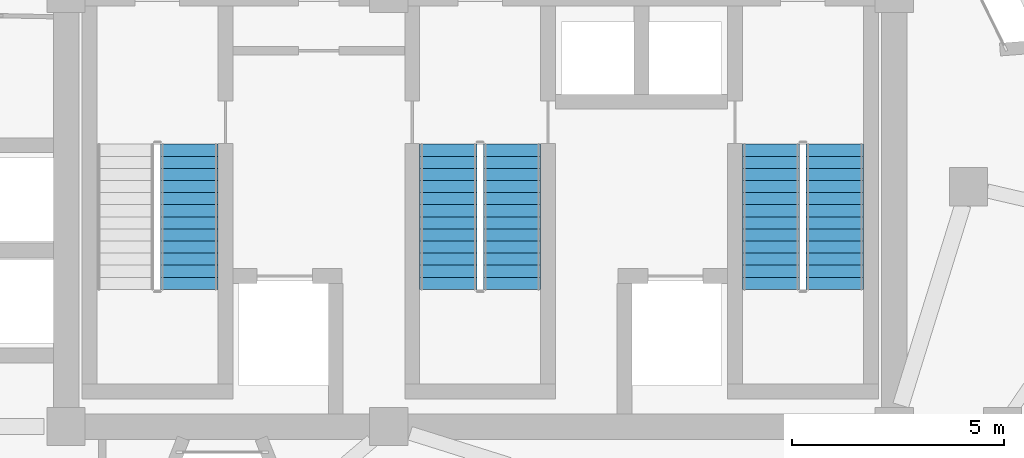
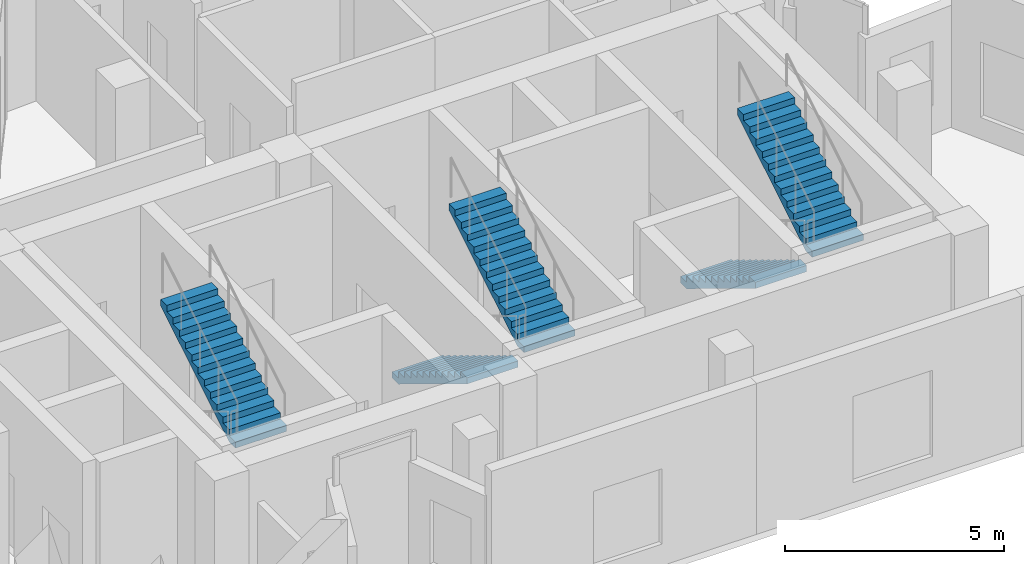
# One storey, part 8 of 9: 5 stair flights, 3 elements without a shape of their own.
"""IFC4 building model written with IfcOpenShell, lengths in metres."""

from ifc_helpers import new_model, si_unit, direction, frame, origin, place, context, subcontext, project, spatial, polyline, outline, extrude, material, type_object, element, aggregate, save


model = new_model("IFC4")

# Units and contexts
model_context = context("Model", 3, precision=1e-05, world=origin(), true_north=direction((0.0, 1.0)))
body_context = subcontext(model_context, "Body", "Model", "MODEL_VIEW")
ifc_project = project(units=[si_unit("LENGTHUNIT", "METRE"), si_unit("AREAUNIT", "SQUARE_METRE"), si_unit("VOLUMEUNIT", "CUBIC_METRE"), si_unit("PLANEANGLEUNIT", "RADIAN"), si_unit("MASSUNIT", "GRAM", prefix="KILO")], contexts=[model_context])

# Site, building, storey
site_placement = place(None, origin())
site = spatial("IfcSite", under=ifc_project, at=site_placement, CompositionType="ELEMENT")
building_placement = place(site_placement, origin())
building = spatial("IfcBuilding", under=site, at=building_placement, Name="Almagre Mirador Tower", CompositionType="ELEMENT")
storey_placement = place(building_placement, frame((0.0, 0.0, 289.5)))
storey = spatial("IfcBuildingStorey", under=building, at=storey_placement, Name="L75", CompositionType="ELEMENT", Elevation=289.5)

# Stair, stair flight
ifc_material_1 = material(Name="Concrete C45/55", Category="concrete")
stair_type = type_object("IfcStairType", Name="STR-DL-4500", PredefinedType="HALF_TURN_STAIR", material=ifc_material_1)
stair_1_placement = place(storey_placement, origin())
stair_1 = element("IfcStair", 1, at=stair_1_placement, inside=storey, type_object=stair_type, Name="L75 Protected exit stair ST-1", PredefinedType="HALF_TURN_STAIR")
ifc_material_2 = material(Name="Concrete C45/55", Category="concrete")
stair_flight_type = type_object("IfcStairFlightType", Name="FLT-DL-4500", PredefinedType="STRAIGHT", material=ifc_material_2)
stair_flight_1_placement = place(storey_placement, frame((30.449951171875, 7.780029296875, 2.25), z_axis=(0.0, 0.0, 1.0), x_axis=(0.0, 1.0, 0.0)))
stair_flight_1 = element("IfcStairFlight", 2, at=stair_flight_1_placement, type_object=stair_flight_type, Name="ST-1 flight 2", NumberOfRisers=13, NumberOfTreads=12, PredefinedType="STRAIGHT", RiserHeight=0.173076923, TreadLength=0.285, context=body_context, shape_type="SweptSolid", body=[
    extrude(outline(polyline([(0.0, 0.0), (0.0, 0.173095703125), (0.284912109375, 0.173095703125), (0.284912109375, 0.34619140625), (0.570068359375, 0.34619140625), (0.570068359375, 0.519287109375), (0.85498046875, 0.519287109375), (0.85498046875, 0.6923828125), (1.139892578125, 0.6923828125), (1.139892578125, 0.865478515625), (1.425048828125, 0.865478515625), (1.425048828125, 1.03857421875), (1.7099609375, 1.03857421875), (1.7099609375, 1.21142578125), (1.9951171875, 1.21142578125), (1.9951171875, 1.384521484375), (2.280029296875, 1.384521484375), (2.280029296875, 1.5576171875), (2.56494140625, 1.5576171875), (2.56494140625, 1.730712890625), (2.85009765625, 1.730712890625), (2.85009765625, 1.90380859375), (3.135009765625, 1.90380859375), (3.135009765625, 2.076904296875), (3.419921875, 2.076904296875), (3.419921875, 2.25), (3.419921875, 1.901611328125), (0.288818359375, 0.0), (0.0, 0.0)])), frame((0.0, 0.675048828125, 0.0), z_axis=(0.0, -1.0, 0.0), x_axis=(1.0, 0.0, 0.0)), (0.0, 0.0, 1.0), 1.35009765625),
])
aggregate(stair_1, [stair_flight_1])

# Stair, stair flights
stair_2_placement = place(storey_placement, origin())
stair_2 = element("IfcStair", 3, at=stair_2_placement, inside=storey, type_object=stair_type, Name="L75 Protected exit stair ST-2", PredefinedType="HALF_TURN_STAIR")
stair_flight_2_placement = place(storey_placement, frame((36.550048828125, 11.199951171875, 0.0), z_axis=(0.0, 0.0, 1.0), x_axis=(0.0, -1.0, 0.0)))
stair_flight_2 = element("IfcStairFlight", 4, at=stair_flight_2_placement, type_object=stair_flight_type, Name="ST-2 flight 1", NumberOfRisers=13, NumberOfTreads=12, PredefinedType="STRAIGHT", RiserHeight=0.173076923, TreadLength=0.285, context=body_context, shape_type="SweptSolid", body=[
    extrude(outline(polyline([(0.0, 0.0), (0.0, 0.173095703125), (0.284912109375, 0.173095703125), (0.284912109375, 0.34619140625), (0.570068359375, 0.34619140625), (0.570068359375, 0.519287109375), (0.85498046875, 0.519287109375), (0.85498046875, 0.6923828125), (1.139892578125, 0.6923828125), (1.139892578125, 0.865478515625), (1.425048828125, 0.865478515625), (1.425048828125, 1.03857421875), (1.7099609375, 1.03857421875), (1.7099609375, 1.21142578125), (1.9951171875, 1.21142578125), (1.9951171875, 1.384521484375), (2.280029296875, 1.384521484375), (2.280029296875, 1.5576171875), (2.56494140625, 1.5576171875), (2.56494140625, 1.730712890625), (2.85009765625, 1.730712890625), (2.85009765625, 1.90380859375), (3.135009765625, 1.90380859375), (3.135009765625, 2.076904296875), (3.419921875, 2.076904296875), (3.419921875, 2.25), (3.419921875, 1.901611328125), (0.288818359375, 0.0), (0.0, 0.0)])), frame((0.0, 0.675048828125, 0.0), z_axis=(0.0, -1.0, 0.0), x_axis=(1.0, 0.0, 0.0)), (0.0, 0.0, 1.0), 1.35009765625),
])
stair_flight_3_placement = place(storey_placement, frame((38.050048828125, 7.780029296875, 2.25), z_axis=(0.0, 0.0, 1.0), x_axis=(0.0, 1.0, 0.0)))
stair_flight_3 = element("IfcStairFlight", 5, at=stair_flight_3_placement, type_object=stair_flight_type, Name="ST-2 flight 2", NumberOfRisers=13, NumberOfTreads=12, PredefinedType="STRAIGHT", RiserHeight=0.173076923, TreadLength=0.285, context=body_context, shape_type="SweptSolid", body=[
    extrude(outline(polyline([(0.0, 0.0), (0.0, 0.173095703125), (0.284912109375, 0.173095703125), (0.284912109375, 0.34619140625), (0.570068359375, 0.34619140625), (0.570068359375, 0.519287109375), (0.85498046875, 0.519287109375), (0.85498046875, 0.6923828125), (1.139892578125, 0.6923828125), (1.139892578125, 0.865478515625), (1.425048828125, 0.865478515625), (1.425048828125, 1.03857421875), (1.7099609375, 1.03857421875), (1.7099609375, 1.21142578125), (1.9951171875, 1.21142578125), (1.9951171875, 1.384521484375), (2.280029296875, 1.384521484375), (2.280029296875, 1.5576171875), (2.56494140625, 1.5576171875), (2.56494140625, 1.730712890625), (2.85009765625, 1.730712890625), (2.85009765625, 1.90380859375), (3.135009765625, 1.90380859375), (3.135009765625, 2.076904296875), (3.419921875, 2.076904296875), (3.419921875, 2.25), (3.419921875, 1.901611328125), (0.288818359375, 0.0), (0.0, 0.0)])), frame((0.0, 0.675048828125, 0.0), z_axis=(0.0, -1.0, 0.0), x_axis=(1.0, 0.0, 0.0)), (0.0, 0.0, 1.0), 1.35009765625),
])
aggregate(stair_2, [stair_flight_2, stair_flight_3])

stair_3_placement = place(storey_placement, origin())
stair_3 = element("IfcStair", 6, at=stair_3_placement, inside=storey, type_object=stair_type, Name="L75 Protected exit stair ST-3", PredefinedType="HALF_TURN_STAIR")
stair_flight_4_placement = place(storey_placement, frame((44.14990234375, 11.199951171875, 0.0), z_axis=(0.0, 0.0, 1.0), x_axis=(0.0, -1.0, 0.0)))
stair_flight_4 = element("IfcStairFlight", 7, at=stair_flight_4_placement, type_object=stair_flight_type, Name="ST-3 flight 1", NumberOfRisers=13, NumberOfTreads=12, PredefinedType="STRAIGHT", RiserHeight=0.173076923, TreadLength=0.285, context=body_context, shape_type="SweptSolid", body=[
    extrude(outline(polyline([(0.0, 0.0), (0.0, 0.173095703125), (0.284912109375, 0.173095703125), (0.284912109375, 0.34619140625), (0.570068359375, 0.34619140625), (0.570068359375, 0.519287109375), (0.85498046875, 0.519287109375), (0.85498046875, 0.6923828125), (1.139892578125, 0.6923828125), (1.139892578125, 0.865478515625), (1.425048828125, 0.865478515625), (1.425048828125, 1.03857421875), (1.7099609375, 1.03857421875), (1.7099609375, 1.21142578125), (1.9951171875, 1.21142578125), (1.9951171875, 1.384521484375), (2.280029296875, 1.384521484375), (2.280029296875, 1.5576171875), (2.56494140625, 1.5576171875), (2.56494140625, 1.730712890625), (2.85009765625, 1.730712890625), (2.85009765625, 1.90380859375), (3.135009765625, 1.90380859375), (3.135009765625, 2.076904296875), (3.419921875, 2.076904296875), (3.419921875, 2.25), (3.419921875, 1.901611328125), (0.288818359375, 0.0), (0.0, 0.0)])), frame((0.0, 0.675048828125, 0.0), z_axis=(0.0, -1.0, 0.0), x_axis=(1.0, 0.0, 0.0)), (0.0, 0.0, 1.0), 1.35009765625),
])
stair_flight_5_placement = place(storey_placement, frame((45.64990234375, 7.780029296875, 2.25), z_axis=(0.0, 0.0, 1.0), x_axis=(0.0, 1.0, 0.0)))
stair_flight_5 = element("IfcStairFlight", 8, at=stair_flight_5_placement, type_object=stair_flight_type, Name="ST-3 flight 2", NumberOfRisers=13, NumberOfTreads=12, PredefinedType="STRAIGHT", RiserHeight=0.173076923, TreadLength=0.285, context=body_context, shape_type="SweptSolid", body=[
    extrude(outline(polyline([(0.0, 0.0), (0.0, 0.173095703125), (0.284912109375, 0.173095703125), (0.284912109375, 0.34619140625), (0.570068359375, 0.34619140625), (0.570068359375, 0.519287109375), (0.85498046875, 0.519287109375), (0.85498046875, 0.6923828125), (1.139892578125, 0.6923828125), (1.139892578125, 0.865478515625), (1.425048828125, 0.865478515625), (1.425048828125, 1.03857421875), (1.7099609375, 1.03857421875), (1.7099609375, 1.21142578125), (1.9951171875, 1.21142578125), (1.9951171875, 1.384521484375), (2.280029296875, 1.384521484375), (2.280029296875, 1.5576171875), (2.56494140625, 1.5576171875), (2.56494140625, 1.730712890625), (2.85009765625, 1.730712890625), (2.85009765625, 1.90380859375), (3.135009765625, 1.90380859375), (3.135009765625, 2.076904296875), (3.419921875, 2.076904296875), (3.419921875, 2.25), (3.419921875, 1.901611328125), (0.288818359375, 0.0), (0.0, 0.0)])), frame((0.0, 0.675048828125, 0.0), z_axis=(0.0, -1.0, 0.0), x_axis=(1.0, 0.0, 0.0)), (0.0, 0.0, 1.0), 1.35009765625),
])
aggregate(stair_3, [stair_flight_4, stair_flight_5])

save(model, "model.ifc")
